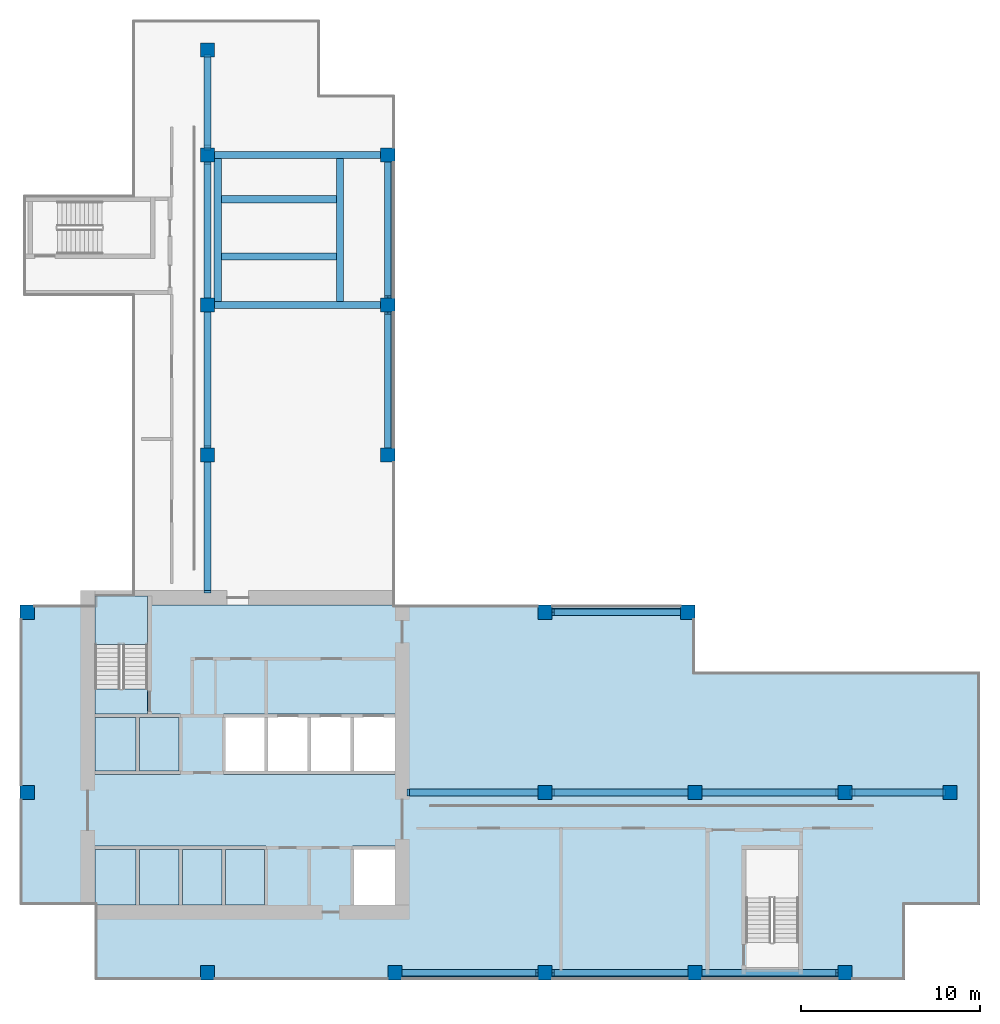
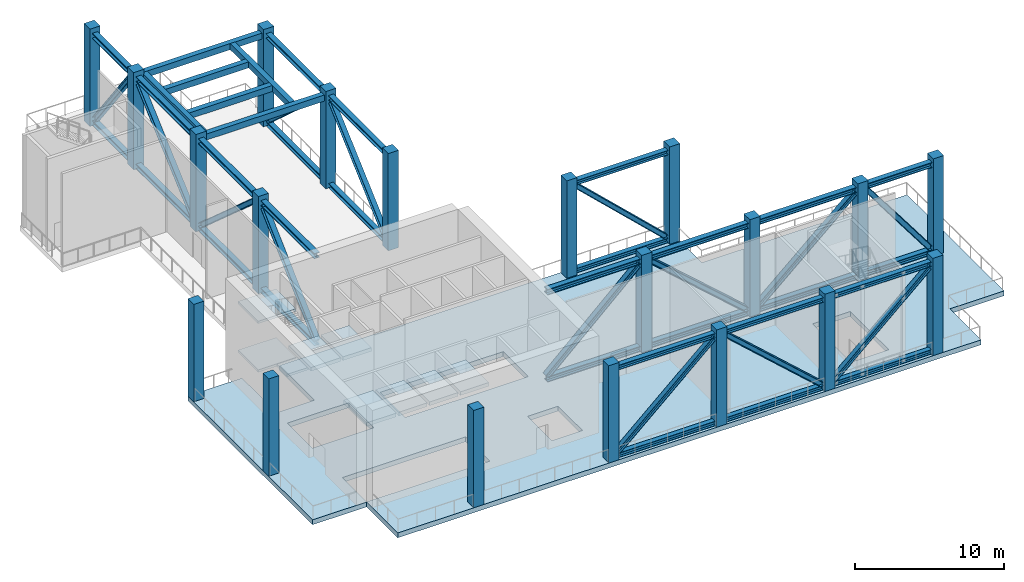
# One storey, part 1 of 9: 34 beams, 20 columns, 14 members, 10 slabs, 1 element without a shape of its own.
"""IFC4 building model written with IfcOpenShell, lengths in metres."""

from ifc_helpers import new_model, si_unit, direction, frame, origin, origin_2d, place, context, subcontext, project, spatial, polyline, rectangle, i_section, outline, extrude, source, transform, mapped, material, layer, layer_set, material_profile, profile_set, type_object, element, aggregate, save


model = new_model("IFC4")

# Units and contexts
model_context = context("Model", 3, precision=1e-05, world=origin(), true_north=direction((0.0, 1.0)))
body_context = subcontext(model_context, "Body", "Model", "MODEL_VIEW")
ifc_project = project(units=[si_unit("LENGTHUNIT", "METRE"), si_unit("AREAUNIT", "SQUARE_METRE"), si_unit("VOLUMEUNIT", "CUBIC_METRE"), si_unit("PLANEANGLEUNIT", "RADIAN"), si_unit("MASSUNIT", "GRAM", prefix="KILO")], contexts=[model_context])

# Site, building, storey
site_placement = place(None, origin())
site = spatial("IfcSite", under=ifc_project, at=site_placement, CompositionType="ELEMENT")
building_placement = place(site_placement, origin())
building = spatial("IfcBuilding", under=site, at=building_placement, Name="Aurelian Terraces", CompositionType="ELEMENT")
storey_placement = place(building_placement, frame((0.0, 0.0, 269.0)))
storey = spatial("IfcBuildingStorey", under=building, at=storey_placement, Name="L62", CompositionType="ELEMENT", Elevation=269.0)

# Columns
ifc_material_1 = material(Name="Concrete fc' 70 MPa", Category="concrete")
ifc_material_profile_1 = material_profile(ifc_material_1, rectangle(XDim=0.8, YDim=0.8, at=origin_2d()))
ifc_profile_set_1 = profile_set([ifc_material_profile_1], Name="Concrete fc' 70 MPa")
column_type = type_object("IfcColumnType", Name="RC COLUMN 800X800 FC70", PredefinedType="COLUMN", material=ifc_profile_set_1)
column_placement = place(storey_placement, frame((10.5, 0.4, 0.0), z_axis=(0.0, 0.0, 1.0), x_axis=(1.0, 0.0, 0.0)))
element("IfcColumn", 1, at=column_placement, inside=storey, type_object=column_type, Name="Column 2/A L62", PredefinedType="COLUMN", context=body_context, shape_type="SweptSolid", body=[
    extrude(rectangle(XDim=0.8, YDim=0.8, at=origin_2d()), origin(), (0.0, 0.0, 1.0), 8.0),
])
shared_shape_1 = source(origin(), body_context, "Body", "SweptSolid", [
    extrude(rectangle(XDim=0.8, YDim=0.8, at=origin_2d()), origin(), (0.0, 0.0, 1.0), 8.0),
])
for number, where, z_axis, x_axis, name in (
    (2, (21.0, 0.4, 0.0), (0.0, 0.0, 1.0), (1.0, 0.0, 0.0), "Column 3/A L62"),
    (3, (29.4, 0.4, 0.0), (0.0, 0.0, 1.0), (1.0, 0.0, 0.0), "Column 4/A L62"),
    (4, (37.8, 0.4, 0.0), (0.0, 0.0, 1.0), (1.0, 0.0, 0.0), "Column 5/A L62"),
    (5, (46.2, 0.4, 0.0), (0.0, 0.0, 1.0), (1.0, 0.0, 0.0), "Column 6/A L62"),
    (6, (0.4, 10.5, 0.0), (0.0, 0.0, 1.0), (1.0, 0.0, 0.0), "Column 1/B L62"),
    (7, (29.4, 10.5, 0.0), (0.0, 0.0, 1.0), (1.0, 0.0, 0.0), "Column 4/B L62"),
    (8, (37.8, 10.5, 0.0), (0.0, 0.0, 1.0), (1.0, 0.0, 0.0), "Column 5/B L62"),
    (9, (46.2, 10.5, 0.0), (0.0, 0.0, 1.0), (1.0, 0.0, 0.0), "Column 6/B L62"),
    (10, (52.08, 10.5, 0.0), (0.0, 0.0, 1.0), (1.0, 0.0, 0.0), "Column 7/B L62"),
    (11, (0.4, 20.6, 0.0), (0.0, 0.0, 1.0), (1.0, 0.0, 0.0), "Column 1/C L62"),
    (12, (29.4, 20.6, 0.0), (0.0, 0.0, 1.0), (1.0, 0.0, 0.0), "Column 4/C L62"),
    (13, (37.4, 20.6, 0.0), (0.0, 0.0, 1.0), (1.0, 0.0, 0.0), "Column 5/C L62"),
    (14, (10.5, 29.4, 0.0), (0.0, 0.0, 1.0), (1.0, 0.0, 0.0), "Column 2/D L62"),
    (15, (20.6, 29.4, 0.0), (0.0, 0.0, 1.0), (1.0, 0.0, 0.0), "Column 3/D L62"),
    (16, (10.5, 37.8, 0.0), (0.0, 0.0, 1.0), (1.0, 0.0, 0.0), "Column 2/E L62"),
    (17, (20.6, 37.8, 0.0), (0.0, 0.0, 1.0), (1.0, 0.0, 0.0), "Column 3/E L62"),
    (18, (10.5, 46.2, 0.0), (0.0, 0.0, 1.0), (1.0, 0.0, 0.0), "Column 2/F L62"),
    (19, (20.6, 46.2, 0.0), (0.0, 0.0, 1.0), (1.0, 0.0, 0.0), "Column 3/F L62"),
    (20, (10.5, 52.08, 0.0), (0.0, 0.0, 1.0), (1.0, 0.0, 0.0), "Column 2/G L62"),
):
    element("IfcColumn", number, at=place(storey_placement, frame(where, z_axis=z_axis, x_axis=x_axis)), inside=storey, type_object=column_type, Name=name, PredefinedType="COLUMN", context=body_context, shape_type="MappedRepresentation", body=[
        mapped(shared_shape_1, transform((0.0, 0.0, 0.0), scale=1.0)),
    ])

# Members
ifc_material_2 = material(Name="Steel ASTM A992 Gr50", Category="steel")
ifc_material_profile_2 = material_profile(ifc_material_2, i_section(OverallWidth=0.371, OverallDepth=0.3637, WebThickness=0.0133, FlangeThickness=0.0218, at=origin_2d()))
ifc_profile_set_2 = profile_set([ifc_material_profile_2], Name="Steel ASTM A992 Gr50")
member_type_1 = type_object("IfcMemberType", Name="BELT DIAGONAL W14X109", PredefinedType="BRACE", material=ifc_profile_set_2)
member_1_placement = place(storey_placement, frame((21.4, 0.4, 0.3724), z_axis=(0.7429489293, 0.0, 0.66934810708), x_axis=(0.0, 1.0, 0.0)))
element("IfcMember", 21, at=member_1_placement, inside=storey, type_object=member_type_1, Name="Belt diagonal 9", PredefinedType="BRACE", context=body_context, shape_type="SweptSolid", body=[
    extrude(i_section(OverallWidth=0.371, OverallDepth=0.3637, WebThickness=0.0133, FlangeThickness=0.0218, at=origin_2d()), origin(), (0.0, 0.0, 1.0), 10.2295),
])
member_2_placement = place(storey_placement, frame((37.0, 20.6, 0.3724), z_axis=(-0.724642516782, 0.0, 0.68912496898), x_axis=(0.0, -1.0, 0.0)))
element("IfcMember", 22, at=member_2_placement, inside=storey, type_object=member_type_1, Name="Belt diagonal 12", PredefinedType="BRACE", context=body_context, shape_type="SweptSolid", body=[
    extrude(i_section(OverallWidth=0.371, OverallDepth=0.3637, WebThickness=0.0133, FlangeThickness=0.0218, at=origin_2d()), origin(), (0.0, 0.0, 1.0), 9.9359),
])

# Beams
ifc_material_profile_3 = material_profile(ifc_material_2, i_section(OverallWidth=0.3954, OverallDepth=0.3805, WebThickness=0.0189, FlangeThickness=0.0302, at=origin_2d()))
ifc_profile_set_3 = profile_set([ifc_material_profile_3], Name="Steel ASTM A992 Gr50")
beam_type_1 = type_object("IfcBeamType", Name="BT902 BELT CHORD W14X159", PredefinedType="BEAM", material=ifc_profile_set_3)
beam_1_placement = place(storey_placement, frame((21.4, 0.4, 7.4097), z_axis=(1.0, 0.0, 0.0), x_axis=(0.0, 1.0, 0.0)))
element("IfcBeam", 23, at=beam_1_placement, inside=storey, type_object=beam_type_1, Name="Belt top chord 9", PredefinedType="BEAM", context=body_context, shape_type="SweptSolid", body=[
    extrude(i_section(OverallWidth=0.3954, OverallDepth=0.3805, WebThickness=0.0189, FlangeThickness=0.0302, at=origin_2d()), origin(), (0.0, 0.0, 1.0), 7.6),
])
beam_2_placement = place(storey_placement, frame((29.8, 20.6, 7.4097), z_axis=(1.0, 0.0, 0.0), x_axis=(0.0, 1.0, 0.0)))
element("IfcBeam", 24, at=beam_2_placement, inside=storey, type_object=beam_type_1, Name="Belt top chord 12", PredefinedType="BEAM", context=body_context, shape_type="SweptSolid", body=[
    extrude(i_section(OverallWidth=0.3954, OverallDepth=0.3805, WebThickness=0.0189, FlangeThickness=0.0302, at=origin_2d()), origin(), (0.0, 0.0, 1.0), 7.2),
])
ifc_material_profile_4 = material_profile(ifc_material_2, i_section(OverallWidth=0.374, OverallDepth=0.3724, WebThickness=0.0164, FlangeThickness=0.0262, at=origin_2d()))
ifc_profile_set_4 = profile_set([ifc_material_profile_4], Name="Steel ASTM A992 Gr50")
beam_type_2 = type_object("IfcBeamType", Name="BT903 BELT CHORD W14X132", PredefinedType="BEAM", material=ifc_profile_set_4)
beam_3_placement = place(storey_placement, frame((21.4, 0.4, 0.1862), z_axis=(1.0, 0.0, 0.0), x_axis=(0.0, 1.0, 0.0)))
element("IfcBeam", 25, at=beam_3_placement, inside=storey, type_object=beam_type_2, Name="Belt bottom chord 9", PredefinedType="BEAM", context=body_context, shape_type="SweptSolid", body=[
    extrude(i_section(OverallWidth=0.374, OverallDepth=0.3724, WebThickness=0.0164, FlangeThickness=0.0262, at=origin_2d()), origin(), (0.0, 0.0, 1.0), 7.6),
])
beam_4_placement = place(storey_placement, frame((29.8, 20.6, 0.1862), z_axis=(1.0, 0.0, 0.0), x_axis=(0.0, 1.0, 0.0)))
element("IfcBeam", 26, at=beam_4_placement, inside=storey, type_object=beam_type_2, Name="Belt bottom chord 12", PredefinedType="BEAM", context=body_context, shape_type="SweptSolid", body=[
    extrude(i_section(OverallWidth=0.374, OverallDepth=0.3724, WebThickness=0.0164, FlangeThickness=0.0262, at=origin_2d()), origin(), (0.0, 0.0, 1.0), 7.2),
])
ifc_material_3 = material(Name="Concrete fc' 40 MPa", Category="concrete")
ifc_material_profile_5 = material_profile(ifc_material_3, rectangle(XDim=0.4, YDim=0.5, at=origin_2d()))
ifc_profile_set_5 = profile_set([ifc_material_profile_5], Name="Concrete fc' 40 MPa")
beam_type_3 = type_object("IfcBeamType", Name="CONCRETE EDGE GIRDER 400X500", PredefinedType="BEAM", material=ifc_profile_set_5)
beam_5_placement = place(storey_placement, frame((10.5, 37.8, 7.35), z_axis=(1.0, 0.0, 0.0), x_axis=(0.0, 1.0, 0.0)))
element("IfcBeam", 27, at=beam_5_placement, inside=storey, type_object=beam_type_3, Name="Stair transfer girder L62 S3U-G1", PredefinedType="BEAM", context=body_context, shape_type="SweptSolid", body=[
    extrude(rectangle(XDim=0.4, YDim=0.5, at=origin_2d()), origin(), (0.0, 0.0, 1.0), 10.1),
])
beam_6_placement = place(storey_placement, frame((11.075, 38.0, 7.35), z_axis=(0.0, 1.0, 0.0), x_axis=(-1.0, 0.0, 0.0)))
element("IfcBeam", 28, at=beam_6_placement, inside=storey, type_object=beam_type_3, Name="Stair transfer girder L62 S3U-E1", PredefinedType="BEAM", context=body_context, shape_type="SweptSolid", body=[
    extrude(rectangle(XDim=0.4, YDim=0.5, at=origin_2d()), origin(), (0.0, 0.0, 1.0), 8.0),
])
beam_7_placement = place(storey_placement, frame((11.275, 40.525, 7.35), z_axis=(1.0, 0.0, 0.0), x_axis=(0.0, 1.0, 0.0)))
element("IfcBeam", 29, at=beam_7_placement, inside=storey, type_object=beam_type_3, Name="Stair transfer girder L62 S3U-L1", PredefinedType="BEAM", context=body_context, shape_type="SweptSolid", body=[
    extrude(rectangle(XDim=0.4, YDim=0.5, at=origin_2d()), origin(), (0.0, 0.0, 1.0), 6.45),
])
ifc_material_profile_6 = material_profile(ifc_material_2, i_section(OverallWidth=0.4122, OverallDepth=0.4348, WebThickness=0.0358, FlangeThickness=0.0531, at=origin_2d()))
ifc_profile_set_6 = profile_set([ifc_material_profile_6], Name="Steel ASTM A992 Gr50")
beam_type_4 = type_object("IfcBeamType", Name="OR902 OUTRIGGER CHORD W14X311", PredefinedType="BEAM", material=ifc_profile_set_6)
beam_8_placement = place(storey_placement, frame((21.8, 10.5, 7.3826), z_axis=(1.0, 0.0, 0.0), x_axis=(0.0, 1.0, 0.0)))
element("IfcBeam", 30, at=beam_8_placement, inside=storey, type_object=beam_type_4, Name="Outrigger top chord 1", PredefinedType="BEAM", context=body_context, shape_type="SweptSolid", body=[
    extrude(i_section(OverallWidth=0.4122, OverallDepth=0.4348, WebThickness=0.0358, FlangeThickness=0.0531, at=origin_2d()), origin(), (0.0, 0.0, 1.0), 7.2),
])
beam_9_placement = place(storey_placement, frame((29.8, 10.5, 7.3826), z_axis=(1.0, 0.0, 0.0), x_axis=(0.0, 1.0, 0.0)))
element("IfcBeam", 31, at=beam_9_placement, inside=storey, type_object=beam_type_4, Name="Outrigger top chord 2", PredefinedType="BEAM", context=body_context, shape_type="SweptSolid", body=[
    extrude(i_section(OverallWidth=0.4122, OverallDepth=0.4348, WebThickness=0.0358, FlangeThickness=0.0531, at=origin_2d()), origin(), (0.0, 0.0, 1.0), 7.6),
])
beam_10_placement = place(storey_placement, frame((46.6, 10.5, 7.3826), z_axis=(1.0, 0.0, 0.0), x_axis=(0.0, 1.0, 0.0)))
element("IfcBeam", 32, at=beam_10_placement, inside=storey, type_object=beam_type_4, Name="Outrigger top chord 4", PredefinedType="BEAM", context=body_context, shape_type="SweptSolid", body=[
    extrude(i_section(OverallWidth=0.4122, OverallDepth=0.4348, WebThickness=0.0358, FlangeThickness=0.0531, at=origin_2d()), origin(), (0.0, 0.0, 1.0), 5.08),
])
ifc_material_profile_7 = material_profile(ifc_material_2, i_section(OverallWidth=0.4063, OverallDepth=0.4161, WebThickness=0.03, FlangeThickness=0.048, at=origin_2d()))
ifc_profile_set_7 = profile_set([ifc_material_profile_7], Name="Steel ASTM A992 Gr50")
beam_type_5 = type_object("IfcBeamType", Name="OR903 OUTRIGGER CHORD W14X257", PredefinedType="BEAM", material=ifc_profile_set_7)
beam_11_placement = place(storey_placement, frame((21.8, 10.5, 0.208), z_axis=(1.0, 0.0, 0.0), x_axis=(0.0, 1.0, 0.0)))
element("IfcBeam", 33, at=beam_11_placement, inside=storey, type_object=beam_type_5, Name="Outrigger bottom chord 1", PredefinedType="BEAM", context=body_context, shape_type="SweptSolid", body=[
    extrude(i_section(OverallWidth=0.4063, OverallDepth=0.4161, WebThickness=0.03, FlangeThickness=0.048, at=origin_2d()), origin(), (0.0, 0.0, 1.0), 7.2),
])
beam_12_placement = place(storey_placement, frame((29.8, 10.5, 0.208), z_axis=(1.0, 0.0, 0.0), x_axis=(0.0, 1.0, 0.0)))
element("IfcBeam", 34, at=beam_12_placement, inside=storey, type_object=beam_type_5, Name="Outrigger bottom chord 2", PredefinedType="BEAM", context=body_context, shape_type="SweptSolid", body=[
    extrude(i_section(OverallWidth=0.4063, OverallDepth=0.4161, WebThickness=0.03, FlangeThickness=0.048, at=origin_2d()), origin(), (0.0, 0.0, 1.0), 7.6),
])
beam_13_placement = place(storey_placement, frame((46.6, 10.5, 0.208), z_axis=(1.0, 0.0, 0.0), x_axis=(0.0, 1.0, 0.0)))
element("IfcBeam", 35, at=beam_13_placement, inside=storey, type_object=beam_type_5, Name="Outrigger bottom chord 4", PredefinedType="BEAM", context=body_context, shape_type="SweptSolid", body=[
    extrude(i_section(OverallWidth=0.4063, OverallDepth=0.4161, WebThickness=0.03, FlangeThickness=0.048, at=origin_2d()), origin(), (0.0, 0.0, 1.0), 5.08),
])

# Members
ifc_material_profile_8 = material_profile(ifc_material_2, i_section(OverallWidth=0.399, OverallDepth=0.3932, WebThickness=0.0226, FlangeThickness=0.0366, at=origin_2d()))
ifc_profile_set_8 = profile_set([ifc_material_profile_8], Name="Steel ASTM A992 Gr50")
member_type_2 = type_object("IfcMemberType", Name="OUTRIGGER DIAGONAL W14X193", PredefinedType="BRACE", material=ifc_profile_set_8)
member_3_placement = place(storey_placement, frame((21.8, 10.5, 0.4161), z_axis=(0.729582706644, 0.0, 0.683892589641), x_axis=(0.0, 1.0, 0.0)))
element("IfcMember", 36, at=member_3_placement, inside=storey, type_object=member_type_2, Name="Outrigger diagonal 1", PredefinedType="BRACE", context=body_context, shape_type="SweptSolid", body=[
    extrude(i_section(OverallWidth=0.399, OverallDepth=0.3932, WebThickness=0.0226, FlangeThickness=0.0366, at=origin_2d()), origin(), (0.0, 0.0, 1.0), 9.8687),
])
member_4_placement = place(storey_placement, frame((37.4, 10.5, 0.4161), z_axis=(-0.7477246087, 0.0, 0.66400896797), x_axis=(0.0, -1.0, 0.0)))
element("IfcMember", 37, at=member_4_placement, inside=storey, type_object=member_type_2, Name="Outrigger diagonal 2", PredefinedType="BRACE", context=body_context, shape_type="SweptSolid", body=[
    extrude(i_section(OverallWidth=0.399, OverallDepth=0.3932, WebThickness=0.0226, FlangeThickness=0.0366, at=origin_2d()), origin(), (0.0, 0.0, 1.0), 10.1642),
])
member_5_placement = place(storey_placement, frame((51.68, 10.5, 0.4161), z_axis=(-0.601376120435, 0.0, 0.798966057959), x_axis=(0.0, -1.0, 0.0)))
element("IfcMember", 38, at=member_5_placement, inside=storey, type_object=member_type_2, Name="Outrigger diagonal 4", PredefinedType="BRACE", context=body_context, shape_type="SweptSolid", body=[
    extrude(i_section(OverallWidth=0.399, OverallDepth=0.3932, WebThickness=0.0226, FlangeThickness=0.0366, at=origin_2d()), origin(), (0.0, 0.0, 1.0), 8.4473),
])

# Beams
shared_shape_2 = source(origin(), body_context, "Body", "SweptSolid", [
    extrude(rectangle(XDim=0.4, YDim=0.5, at=origin_2d()), origin(), (0.0, 0.0, 1.0), 10.1),
])
beam_14_placement = place(storey_placement, frame((10.5, 46.2, 7.35), z_axis=(1.0, 0.0, 0.0), x_axis=(0.0, 1.0, 0.0)))
element("IfcBeam", 39, at=beam_14_placement, inside=storey, type_object=beam_type_3, Name="Stair transfer girder L62 S3U-G2", PredefinedType="BEAM", context=body_context, shape_type="MappedRepresentation", body=[
    mapped(shared_shape_2, transform((0.0, 0.0, 0.0), scale=1.0)),
])
shared_shape_3 = source(origin(), body_context, "Body", "SweptSolid", [
    extrude(rectangle(XDim=0.4, YDim=0.5, at=origin_2d()), origin(), (0.0, 0.0, 1.0), 8.0),
])
beam_15_placement = place(storey_placement, frame((17.925, 38.0, 7.35), z_axis=(0.0, 1.0, 0.0), x_axis=(-1.0, 0.0, 0.0)))
element("IfcBeam", 40, at=beam_15_placement, inside=storey, type_object=beam_type_3, Name="Stair transfer girder L62 S3U-E2", PredefinedType="BEAM", context=body_context, shape_type="MappedRepresentation", body=[
    mapped(shared_shape_3, transform((0.0, 0.0, 0.0), scale=1.0)),
])
shared_shape_4 = source(origin(), body_context, "Body", "SweptSolid", [
    extrude(rectangle(XDim=0.4, YDim=0.5, at=origin_2d()), origin(), (0.0, 0.0, 1.0), 6.45),
])
beam_16_placement = place(storey_placement, frame((11.275, 43.725, 7.35), z_axis=(1.0, 0.0, 0.0), x_axis=(0.0, 1.0, 0.0)))
element("IfcBeam", 41, at=beam_16_placement, inside=storey, type_object=beam_type_3, Name="Stair transfer girder L62 S3U-L2", PredefinedType="BEAM", context=body_context, shape_type="MappedRepresentation", body=[
    mapped(shared_shape_4, transform((0.0, 0.0, 0.0), scale=1.0)),
])
shared_shape_5 = source(origin(), body_context, "Body", "SweptSolid", [
    extrude(i_section(OverallWidth=0.4122, OverallDepth=0.4348, WebThickness=0.0358, FlangeThickness=0.0531, at=origin_2d()), origin(), (0.0, 0.0, 1.0), 7.6),
])
for number, where, z_axis, x_axis, name in (
    (42, (38.2, 10.5, 7.3826), (1.0, 0.0, 0.0), (0.0, 1.0, 0.0), "Outrigger top chord 3"),
    (43, (10.5, 29.8, 7.3826), (0.0, 1.0, 0.0), (-1.0, 0.0, 0.0), "Outrigger top chord 6"),
    (44, (10.5, 38.2, 7.3826), (0.0, 1.0, 0.0), (-1.0, 0.0, 0.0), "Outrigger top chord 7"),
):
    element("IfcBeam", number, at=place(storey_placement, frame(where, z_axis=z_axis, x_axis=x_axis)), inside=storey, type_object=beam_type_4, Name=name, PredefinedType="BEAM", context=body_context, shape_type="MappedRepresentation", body=[
        mapped(shared_shape_5, transform((0.0, 0.0, 0.0), scale=1.0)),
    ])
shared_shape_6 = source(origin(), body_context, "Body", "SweptSolid", [
    extrude(i_section(OverallWidth=0.4063, OverallDepth=0.4161, WebThickness=0.03, FlangeThickness=0.048, at=origin_2d()), origin(), (0.0, 0.0, 1.0), 7.6),
])
for number, where, z_axis, x_axis, name in (
    (45, (38.2, 10.5, 0.208), (1.0, 0.0, 0.0), (0.0, 1.0, 0.0), "Outrigger bottom chord 3"),
    (46, (10.5, 29.8, 0.208), (0.0, 1.0, 0.0), (-1.0, 0.0, 0.0), "Outrigger bottom chord 6"),
    (47, (10.5, 38.2, 0.208), (0.0, 1.0, 0.0), (-1.0, 0.0, 0.0), "Outrigger bottom chord 7"),
):
    element("IfcBeam", number, at=place(storey_placement, frame(where, z_axis=z_axis, x_axis=x_axis)), inside=storey, type_object=beam_type_5, Name=name, PredefinedType="BEAM", context=body_context, shape_type="MappedRepresentation", body=[
        mapped(shared_shape_6, transform((0.0, 0.0, 0.0), scale=1.0)),
    ])

# Members
shared_shape_7 = source(origin(), body_context, "Body", "SweptSolid", [
    extrude(i_section(OverallWidth=0.399, OverallDepth=0.3932, WebThickness=0.0226, FlangeThickness=0.0366, at=origin_2d()), origin(), (0.0, 0.0, 1.0), 10.1642),
])
for number, where, z_axis, x_axis, name in (
    (48, (38.2, 10.5, 0.4161), (0.7477246087, 0.0, 0.66400896797), (0.0, 1.0, 0.0), "Outrigger diagonal 3"),
    (49, (10.5, 37.4, 0.4161), (0.0, -0.7477246087, 0.66400896797), (1.0, 0.0, 0.0), "Outrigger diagonal 6"),
    (50, (10.5, 38.2, 0.4161), (0.0, 0.7477246087, 0.66400896797), (-1.0, 0.0, 0.0), "Outrigger diagonal 7"),
):
    element("IfcMember", number, at=place(storey_placement, frame(where, z_axis=z_axis, x_axis=x_axis)), inside=storey, type_object=member_type_2, Name=name, PredefinedType="BRACE", context=body_context, shape_type="MappedRepresentation", body=[
        mapped(shared_shape_7, transform((0.0, 0.0, 0.0), scale=1.0)),
    ])

# Beams
shared_shape_8 = source(origin(), body_context, "Body", "SweptSolid", [
    extrude(i_section(OverallWidth=0.4122, OverallDepth=0.4348, WebThickness=0.0358, FlangeThickness=0.0531, at=origin_2d()), origin(), (0.0, 0.0, 1.0), 7.2),
])
beam_17_placement = place(storey_placement, frame((10.5, 21.8, 7.3826), z_axis=(0.0, 1.0, 0.0), x_axis=(-1.0, 0.0, 0.0)))
element("IfcBeam", 51, at=beam_17_placement, inside=storey, type_object=beam_type_4, Name="Outrigger top chord 5", PredefinedType="BEAM", context=body_context, shape_type="MappedRepresentation", body=[
    mapped(shared_shape_8, transform((0.0, 0.0, 0.0), scale=1.0)),
])
shared_shape_9 = source(origin(), body_context, "Body", "SweptSolid", [
    extrude(i_section(OverallWidth=0.4063, OverallDepth=0.4161, WebThickness=0.03, FlangeThickness=0.048, at=origin_2d()), origin(), (0.0, 0.0, 1.0), 7.2),
])
beam_18_placement = place(storey_placement, frame((10.5, 21.8, 0.208), z_axis=(0.0, 1.0, 0.0), x_axis=(-1.0, 0.0, 0.0)))
element("IfcBeam", 52, at=beam_18_placement, inside=storey, type_object=beam_type_5, Name="Outrigger bottom chord 5", PredefinedType="BEAM", context=body_context, shape_type="MappedRepresentation", body=[
    mapped(shared_shape_9, transform((0.0, 0.0, 0.0), scale=1.0)),
])

# Member
shared_shape_10 = source(origin(), body_context, "Body", "SweptSolid", [
    extrude(i_section(OverallWidth=0.399, OverallDepth=0.3932, WebThickness=0.0226, FlangeThickness=0.0366, at=origin_2d()), origin(), (0.0, 0.0, 1.0), 9.8687),
])
member_6_placement = place(storey_placement, frame((10.5, 21.8, 0.4161), z_axis=(0.0, 0.729582706644, 0.683892589641), x_axis=(-1.0, 0.0, 0.0)))
element("IfcMember", 53, at=member_6_placement, inside=storey, type_object=member_type_2, Name="Outrigger diagonal 5", PredefinedType="BRACE", context=body_context, shape_type="MappedRepresentation", body=[
    mapped(shared_shape_10, transform((0.0, 0.0, 0.0), scale=1.0)),
])

# Beams
shared_shape_11 = source(origin(), body_context, "Body", "SweptSolid", [
    extrude(i_section(OverallWidth=0.4122, OverallDepth=0.4348, WebThickness=0.0358, FlangeThickness=0.0531, at=origin_2d()), origin(), (0.0, 0.0, 1.0), 5.08),
])
beam_19_placement = place(storey_placement, frame((10.5, 46.6, 7.3826), z_axis=(0.0, 1.0, 0.0), x_axis=(-1.0, 0.0, 0.0)))
element("IfcBeam", 54, at=beam_19_placement, inside=storey, type_object=beam_type_4, Name="Outrigger top chord 8", PredefinedType="BEAM", context=body_context, shape_type="MappedRepresentation", body=[
    mapped(shared_shape_11, transform((0.0, 0.0, 0.0), scale=1.0)),
])
shared_shape_12 = source(origin(), body_context, "Body", "SweptSolid", [
    extrude(i_section(OverallWidth=0.4063, OverallDepth=0.4161, WebThickness=0.03, FlangeThickness=0.048, at=origin_2d()), origin(), (0.0, 0.0, 1.0), 5.08),
])
beam_20_placement = place(storey_placement, frame((10.5, 46.6, 0.208), z_axis=(0.0, 1.0, 0.0), x_axis=(-1.0, 0.0, 0.0)))
element("IfcBeam", 55, at=beam_20_placement, inside=storey, type_object=beam_type_5, Name="Outrigger bottom chord 8", PredefinedType="BEAM", context=body_context, shape_type="MappedRepresentation", body=[
    mapped(shared_shape_12, transform((0.0, 0.0, 0.0), scale=1.0)),
])

# Member
shared_shape_13 = source(origin(), body_context, "Body", "SweptSolid", [
    extrude(i_section(OverallWidth=0.399, OverallDepth=0.3932, WebThickness=0.0226, FlangeThickness=0.0366, at=origin_2d()), origin(), (0.0, 0.0, 1.0), 8.4473),
])
member_7_placement = place(storey_placement, frame((10.5, 51.68, 0.4161), z_axis=(0.0, -0.601376120435, 0.798966057959), x_axis=(1.0, 0.0, 0.0)))
element("IfcMember", 56, at=member_7_placement, inside=storey, type_object=member_type_2, Name="Outrigger diagonal 8", PredefinedType="BRACE", context=body_context, shape_type="MappedRepresentation", body=[
    mapped(shared_shape_13, transform((0.0, 0.0, 0.0), scale=1.0)),
])

# Beams
shared_shape_14 = source(origin(), body_context, "Body", "SweptSolid", [
    extrude(i_section(OverallWidth=0.3954, OverallDepth=0.3805, WebThickness=0.0189, FlangeThickness=0.0302, at=origin_2d()), origin(), (0.0, 0.0, 1.0), 7.6),
])
for number, where, z_axis, x_axis, name in (
    (57, (29.8, 0.4, 7.4097), (1.0, 0.0, 0.0), (0.0, 1.0, 0.0), "Belt top chord 10"),
    (58, (38.2, 0.4, 7.4097), (1.0, 0.0, 0.0), (0.0, 1.0, 0.0), "Belt top chord 11"),
    (59, (20.6, 29.8, 7.4097), (0.0, 1.0, 0.0), (-1.0, 0.0, 0.0), "Belt top chord 13"),
    (60, (20.6, 38.2, 7.4097), (0.0, 1.0, 0.0), (-1.0, 0.0, 0.0), "Belt top chord 14"),
):
    element("IfcBeam", number, at=place(storey_placement, frame(where, z_axis=z_axis, x_axis=x_axis)), inside=storey, type_object=beam_type_1, Name=name, PredefinedType="BEAM", context=body_context, shape_type="MappedRepresentation", body=[
        mapped(shared_shape_14, transform((0.0, 0.0, 0.0), scale=1.0)),
    ])
shared_shape_15 = source(origin(), body_context, "Body", "SweptSolid", [
    extrude(i_section(OverallWidth=0.374, OverallDepth=0.3724, WebThickness=0.0164, FlangeThickness=0.0262, at=origin_2d()), origin(), (0.0, 0.0, 1.0), 7.6),
])
for number, where, z_axis, x_axis, name in (
    (61, (29.8, 0.4, 0.1862), (1.0, 0.0, 0.0), (0.0, 1.0, 0.0), "Belt bottom chord 10"),
    (62, (38.2, 0.4, 0.1862), (1.0, 0.0, 0.0), (0.0, 1.0, 0.0), "Belt bottom chord 11"),
    (63, (20.6, 29.8, 0.1862), (0.0, 1.0, 0.0), (-1.0, 0.0, 0.0), "Belt bottom chord 13"),
    (64, (20.6, 38.2, 0.1862), (0.0, 1.0, 0.0), (-1.0, 0.0, 0.0), "Belt bottom chord 14"),
):
    element("IfcBeam", number, at=place(storey_placement, frame(where, z_axis=z_axis, x_axis=x_axis)), inside=storey, type_object=beam_type_2, Name=name, PredefinedType="BEAM", context=body_context, shape_type="MappedRepresentation", body=[
        mapped(shared_shape_15, transform((0.0, 0.0, 0.0), scale=1.0)),
    ])

# Members
shared_shape_16 = source(origin(), body_context, "Body", "SweptSolid", [
    extrude(i_section(OverallWidth=0.371, OverallDepth=0.3637, WebThickness=0.0133, FlangeThickness=0.0218, at=origin_2d()), origin(), (0.0, 0.0, 1.0), 10.2295),
])
for number, where, z_axis, x_axis, name in (
    (65, (37.4, 0.4, 0.3724), (-0.7429489293, 0.0, 0.66934810708), (0.0, -1.0, 0.0), "Belt diagonal 10"),
    (66, (38.2, 0.4, 0.3724), (0.7429489293, 0.0, 0.66934810708), (0.0, 1.0, 0.0), "Belt diagonal 11"),
    (67, (20.6, 29.8, 0.3724), (0.0, 0.7429489293, 0.66934810708), (-1.0, 0.0, 0.0), "Belt diagonal 13"),
    (68, (20.6, 45.8, 0.3724), (0.0, -0.7429489293, 0.66934810708), (1.0, 0.0, 0.0), "Belt diagonal 14"),
):
    element("IfcMember", number, at=place(storey_placement, frame(where, z_axis=z_axis, x_axis=x_axis)), inside=storey, type_object=member_type_1, Name=name, PredefinedType="BRACE", context=body_context, shape_type="MappedRepresentation", body=[
        mapped(shared_shape_16, transform((0.0, 0.0, 0.0), scale=1.0)),
    ])

# Slab
ifc_layer_1 = layer(ifc_material_3, 0.4)
ifc_layer_set_1 = layer_set([ifc_layer_1], Name="PT FLAT PLATE 400")
slab_type_1 = type_object("IfcSlabType", Name="PT FLAT PLATE 400", PredefinedType="FLOOR", material=ifc_layer_set_1)
shared_shape_17 = source(origin(), body_context, "Body", "SweptSolid", [
    extrude(outline(polyline([(53.76, 4.2), (49.56, 4.2), (49.56, 0.0), (21.0, 0.0), (4.2, 0.0), (4.2, 4.2), (0.0, 4.2), (0.0, 21.0), (4.21, 21.0), (4.21, 16.31), (7.14, 16.31), (7.14, 21.0), (21.0, 21.0), (37.8, 21.0), (37.8, 17.25), (49.56, 17.25), (53.76, 17.25), (53.76, 16.8), (53.76, 16.65), (53.76, 4.2)]), holes=[polyline([(40.66, 2.11), (43.59, 2.11), (43.59, 7.29), (40.66, 7.29), (40.66, 2.11)]), polyline([(18.61, 7.49), (18.61, 4.21), (20.99, 4.21), (20.99, 7.49), (18.61, 7.49)]), polyline([(20.99, 14.89), (11.41, 14.89), (11.41, 11.51), (20.99, 11.51), (20.99, 14.89)]), polyline([(4.21, 7.49), (4.21, 4.21), (13.79, 4.21), (13.79, 7.49), (4.21, 7.49)]), polyline([(4.21, 14.89), (4.21, 11.51), (8.99, 11.51), (8.99, 14.89), (4.21, 14.89)])]), origin(), (0.0, 0.0, 1.0), 0.4),
])
slab_1_placement = place(storey_placement, frame((0.0, 0.0, -0.4)))
element("IfcSlab", 69, at=slab_1_placement, inside=storey, type_object=slab_type_1, Name="Floor slab S L62", PredefinedType="FLOOR", context=body_context, shape_type="MappedRepresentation", body=[
    mapped(shared_shape_17, transform((0.0, 0.0, 0.0), scale=1.0)),
])

# Stair, slabs
stair_type = type_object("IfcStairType", Name="Stair 1400", PredefinedType="HALF_TURN_STAIR", material=ifc_material_3)
stair_placement = place(storey_placement, origin())
stair = element("IfcStair", 70, at=stair_placement, inside=storey, type_object=stair_type, Name="L62 S1", PredefinedType="HALF_TURN_STAIR")
ifc_layer_2 = layer(ifc_material_3, 0.2)
ifc_layer_set_2 = layer_set([ifc_layer_2], Name="Stair landing 200")
slab_type_2 = type_object("IfcSlabType", Name="Stair landing 200", PredefinedType="LANDING", material=ifc_layer_set_2)
shared_shape_18 = source(origin(), body_context, "Body", "SweptSolid", [
    extrude(outline(polyline([(7.15, 14.9), (7.15, 16.3), (4.2, 16.3), (4.2, 14.9), (7.15, 14.9)])), origin(), (0.0, 0.0, 1.0), 0.2),
])
slab_2_placement = place(storey_placement, frame((0.0, 0.0, 3.8)))
slab_2 = element("IfcSlab", 71, at=slab_2_placement, type_object=slab_type_2, Name="S1 landing 2", PredefinedType="LANDING", context=body_context, shape_type="MappedRepresentation", body=[
    mapped(shared_shape_18, transform((0.0, 0.0, 0.0), scale=1.0)),
])
shared_shape_19 = source(origin(), body_context, "Body", "SweptSolid", [
    extrude(outline(polyline([(7.15, 18.8), (7.15, 21.5), (4.2, 21.5), (4.2, 18.8), (7.15, 18.8)])), origin(), (0.0, 0.0, 1.0), 0.2),
])
slab_3_placement = place(storey_placement, frame((0.0, 0.0, 1.8)))
slab_3 = element("IfcSlab", 72, at=slab_3_placement, type_object=slab_type_2, Name="S1 landing 1", PredefinedType="LANDING", context=body_context, shape_type="MappedRepresentation", body=[
    mapped(shared_shape_19, transform((0.0, 0.0, 0.0), scale=1.0)),
])
slab_4_placement = place(storey_placement, frame((0.0, 0.0, 5.8)))
slab_4 = element("IfcSlab", 73, at=slab_4_placement, type_object=slab_type_2, Name="S1 landing 3", PredefinedType="LANDING", context=body_context, shape_type="MappedRepresentation", body=[
    mapped(shared_shape_19, transform((0.0, 0.0, 0.0), scale=1.0)),
])
aggregate(stair, [slab_3, slab_2, slab_4])

# Slabs
ifc_layer_3 = layer(ifc_material_3, 0.3)
ifc_layer_set_3 = layer_set([ifc_layer_3], Name="Lift pit slab")
slab_type_3 = type_object("IfcSlabType", Name="Lift pit slab", PredefinedType="NOTDEFINED", material=ifc_layer_set_3)
shared_shape_20 = source(origin(), body_context, "Body", "SweptSolid", [
    extrude(outline(polyline([(4.2, 4.2), (6.5, 4.2), (6.5, 7.3), (4.2, 7.3), (4.2, 4.2)])), origin(), (0.0, 0.0, 1.0), 0.3),
])
slab_5_placement = place(storey_placement, frame((0.0, 0.0, 6.2)))
element("IfcSlab", 74, at=slab_5_placement, inside=storey, type_object=slab_type_3, Name="Lift pit slab LH1", PredefinedType="NOTDEFINED", context=body_context, shape_type="MappedRepresentation", body=[
    mapped(shared_shape_20, transform((0.0, 0.0, 0.0), scale=1.0)),
])
shared_shape_21 = source(origin(), body_context, "Body", "SweptSolid", [
    extrude(outline(polyline([(6.7, 4.2), (8.9, 4.2), (8.9, 7.3), (6.7, 7.3), (6.7, 4.2)])), origin(), (0.0, 0.0, 1.0), 0.3),
])
slab_6_placement = place(storey_placement, frame((0.0, 0.0, 6.2)))
element("IfcSlab", 75, at=slab_6_placement, inside=storey, type_object=slab_type_3, Name="Lift pit slab LH2", PredefinedType="NOTDEFINED", context=body_context, shape_type="MappedRepresentation", body=[
    mapped(shared_shape_21, transform((0.0, 0.0, 0.0), scale=1.0)),
])
shared_shape_22 = source(origin(), body_context, "Body", "SweptSolid", [
    extrude(outline(polyline([(9.1, 4.2), (11.3, 4.2), (11.3, 7.3), (9.1, 7.3), (9.1, 4.2)])), origin(), (0.0, 0.0, 1.0), 0.3),
])
slab_7_placement = place(storey_placement, frame((0.0, 0.0, 6.2)))
element("IfcSlab", 76, at=slab_7_placement, inside=storey, type_object=slab_type_3, Name="Lift pit slab LH3", PredefinedType="NOTDEFINED", context=body_context, shape_type="MappedRepresentation", body=[
    mapped(shared_shape_22, transform((0.0, 0.0, 0.0), scale=1.0)),
])
shared_shape_23 = source(origin(), body_context, "Body", "SweptSolid", [
    extrude(outline(polyline([(11.5, 4.2), (13.7, 4.2), (13.7, 7.3), (11.5, 7.3), (11.5, 4.2)])), origin(), (0.0, 0.0, 1.0), 0.3),
])
slab_8_placement = place(storey_placement, frame((0.0, 0.0, 6.2)))
element("IfcSlab", 77, at=slab_8_placement, inside=storey, type_object=slab_type_3, Name="Lift pit slab LH4", PredefinedType="NOTDEFINED", context=body_context, shape_type="MappedRepresentation", body=[
    mapped(shared_shape_23, transform((0.0, 0.0, 0.0), scale=1.0)),
])
shared_shape_24 = source(origin(), body_context, "Body", "SweptSolid", [
    extrude(outline(polyline([(4.2, 11.7), (6.5, 11.7), (6.5, 14.7), (4.2, 14.7), (4.2, 11.7)])), origin(), (0.0, 0.0, 1.0), 0.3),
])
slab_9_placement = place(storey_placement, frame((0.0, 0.0, 6.2)))
element("IfcSlab", 78, at=slab_9_placement, inside=storey, type_object=slab_type_3, Name="Lift pit slab LH5", PredefinedType="NOTDEFINED", context=body_context, shape_type="MappedRepresentation", body=[
    mapped(shared_shape_24, transform((0.0, 0.0, 0.0), scale=1.0)),
])
shared_shape_25 = source(origin(), body_context, "Body", "SweptSolid", [
    extrude(outline(polyline([(6.7, 11.7), (8.9, 11.7), (8.9, 14.7), (6.7, 14.7), (6.7, 11.7)])), origin(), (0.0, 0.0, 1.0), 0.3),
])
slab_10_placement = place(storey_placement, frame((0.0, 0.0, 6.2)))
element("IfcSlab", 79, at=slab_10_placement, inside=storey, type_object=slab_type_3, Name="Lift pit slab LH6", PredefinedType="NOTDEFINED", context=body_context, shape_type="MappedRepresentation", body=[
    mapped(shared_shape_25, transform((0.0, 0.0, 0.0), scale=1.0)),
])

save(model, "model.ifc")
